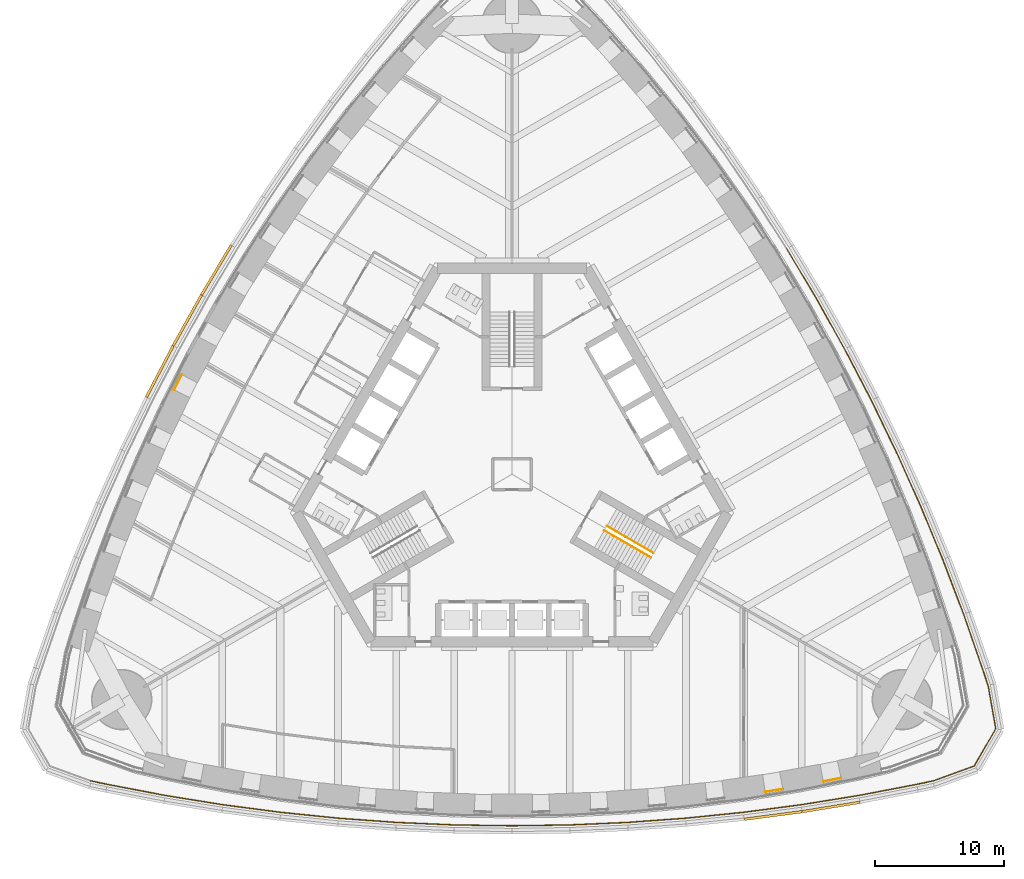
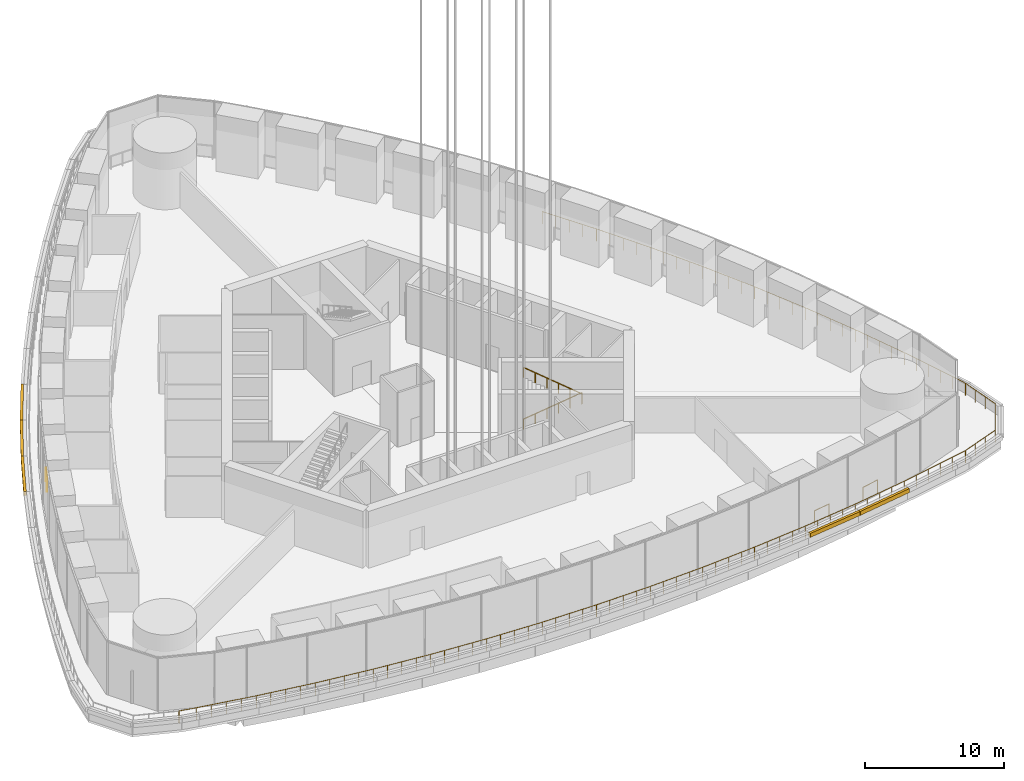
# One storey, part 19 of 33: 6 railings, 5 coverings.
"""IFC4 building model written with IfcOpenShell, lengths in metres."""

from ifc_helpers import new_model, si_unit, direction, frame, origin, origin_2d, place, context, subcontext, project, spatial, rectangle, circle, extrude, material, type_object, element, save


model = new_model("IFC4")

# Units and contexts
model_context = context("Model", 3, precision=1e-05, world=origin(), true_north=direction((0.0, 1.0)))
body_context = subcontext(model_context, "Body", "Model", "MODEL_VIEW")
ifc_project = project(units=[si_unit("LENGTHUNIT", "METRE"), si_unit("AREAUNIT", "SQUARE_METRE"), si_unit("VOLUMEUNIT", "CUBIC_METRE"), si_unit("PLANEANGLEUNIT", "RADIAN"), si_unit("MASSUNIT", "GRAM", prefix="KILO")], contexts=[model_context])

# Site, building, storey
site_placement = place(None, origin())
site = spatial("IfcSite", under=ifc_project, at=site_placement, CompositionType="ELEMENT")
building_placement = place(site_placement, origin())
building = spatial("IfcBuilding", under=site, at=building_placement, Name="Trefoil Bronze Tower", CompositionType="ELEMENT")
storey_placement = place(building_placement, frame((0.0, 0.0, 98.10009765625)))
storey = spatial("IfcBuildingStorey", under=building, at=storey_placement, Name="L22", CompositionType="ELEMENT", Elevation=98.10009765625)

# Railings
ifc_material_1 = material(Name="Bronze-finish steel guard rail and posts", Category="steel")
railing_type_1 = type_object("IfcRailingType", Name="Glazing guard 1200", PredefinedType="GUARDRAIL", material=ifc_material_1)
railing_1_placement = place(storey_placement, frame((19.665771484375, -24.671875, 0.0)))
element("IfcRailing", 1, at=railing_1_placement, inside=storey, type_object=railing_type_1, Name="Glazing guard L22.16", PredefinedType="GUARDRAIL", context=body_context, shape_type="SweptSolid", body=[
    extrude(circle(Radius=0.02392578125, at=origin_2d()), frame((0.0, 0.0, 1.17578125), z_axis=(0.98674481344, 0.162279614093, 0.0), x_axis=(-0.162279614093, 0.98674481344, 0.0)), (0.0, 0.0, 1.0), 1.382568359375),
    extrude(circle(Radius=0.02099609375, at=origin_2d()), origin(), (0.0, 0.0, 1.0), 1.15185546875),
    extrude(circle(Radius=0.02099609375, at=origin_2d()), frame((1.3642578125, 0.224365234375, 0.0)), (0.0, 0.0, 1.0), 1.15185546875),
])
railing_2_placement = place(storey_placement, frame((24.177001953125, -23.86669921875, 0.0)))
element("IfcRailing", 2, at=railing_2_placement, inside=storey, type_object=railing_type_1, Name="Glazing guard L22.17", PredefinedType="GUARDRAIL", context=body_context, shape_type="SweptSolid", body=[
    extrude(circle(Radius=0.02392578125, at=origin_2d()), frame((0.0, 0.0, 1.17578125), z_axis=(0.980145746229, 0.198278380438, 0.0), x_axis=(-0.198278380438, 0.980145746229, 0.0)), (0.0, 0.0, 1.0), 1.4111328125),
    extrude(circle(Radius=0.02099609375, at=origin_2d()), origin(), (0.0, 0.0, 1.0), 1.15185546875),
    extrude(circle(Radius=0.02099609375, at=origin_2d()), frame((1.383056640625, 0.27978515625, 0.0)), (0.0, 0.0, 1.0), 1.15185546875),
])
railing_3_placement = place(storey_placement, frame((-25.646484375, 7.74072265625, 0.0)))
element("IfcRailing", 3, at=railing_3_placement, inside=storey, type_object=railing_type_1, Name="Glazing guard L22.40", PredefinedType="GUARDRAIL", context=body_context, shape_type="SweptSolid", body=[
    extrude(circle(Radius=0.02392578125, at=origin_2d()), frame((0.0, 0.0, 1.17578125), z_axis=(-0.452501179772, -0.891763804101, 0.0), x_axis=(0.891763804101, -0.452501179772, 0.0)), (0.0, 0.0, 1.0), 1.327880859375),
    extrude(circle(Radius=0.02099609375, at=origin_2d()), origin(), (0.0, 0.0, 1.0), 1.15185546875),
    extrude(circle(Radius=0.02099609375, at=origin_2d()), frame((-0.600830078125, -1.18408203125, 0.0)), (0.0, 0.0, 1.0), 1.15185546875),
])
ifc_material_2 = material(Name="Steel handrail", Category="steel")
railing_type_2 = type_object("IfcRailingType", Name="Handrail 900", PredefinedType="HANDRAIL", material=ifc_material_2)
railing_4_placement = place(storey_placement, frame((7.365966796875, -4.021728515625, 0.16650390625)))
element("IfcRailing", 4, at=railing_4_placement, inside=storey, type_object=railing_type_2, Name="Handrail ST1 flight 1 L22", PredefinedType="HANDRAIL", context=body_context, shape_type="SweptSolid", body=[
    extrude(circle(Radius=0.02392578125, at=origin_2d()), frame((0.0, 0.0, 0.8759765625), z_axis=(0.75701437253, -0.437094753155, 0.485672128651), x_axis=(0.500027713859, 0.866009402589, 0.0)), (0.0, 0.0, 1.0), 4.8046875),
    extrude(circle(Radius=0.02099609375, at=origin_2d()), origin(), (0.0, 0.0, 1.0), 0.851806640625),
    extrude(circle(Radius=0.02099609375, at=origin_2d()), frame((0.7275390625, -0.419921875, 0.466796875)), (0.0, 0.0, 1.0), 0.851806640625),
    extrude(circle(Radius=0.02099609375, at=origin_2d()), frame((1.454833984375, -0.840087890625, 0.933349609375)), (0.0, 0.0, 1.0), 0.851806640625),
    extrude(circle(Radius=0.02099609375, at=origin_2d()), frame((2.182373046875, -1.260009765625, 1.400146484375)), (0.0, 0.0, 1.0), 0.851806640625),
    extrude(circle(Radius=0.02099609375, at=origin_2d()), frame((2.90966796875, -1.68017578125, 1.86669921875)), (0.0, 0.0, 1.0), 0.851806640625),
    extrude(circle(Radius=0.02099609375, at=origin_2d()), frame((3.63720703125, -2.10009765625, 2.33349609375)), (0.0, 0.0, 1.0), 0.851806640625),
])
railing_5_placement = place(storey_placement, frame((10.80322265625, -6.46826171875, 2.66650390625)))
element("IfcRailing", 5, at=railing_5_placement, inside=storey, type_object=railing_type_2, Name="Handrail ST1 flight 2 L22", PredefinedType="HANDRAIL", context=body_context, shape_type="SweptSolid", body=[
    extrude(circle(Radius=0.02392578125, at=origin_2d()), frame((0.0, 0.0, 0.8759765625), z_axis=(-0.75701437253, 0.437094753155, 0.485672128651), x_axis=(-0.500027713859, -0.866009402589, 0.0)), (0.0, 0.0, 1.0), 4.8046875),
    extrude(circle(Radius=0.02099609375, at=origin_2d()), origin(), (0.0, 0.0, 1.0), 0.851806640625),
    extrude(circle(Radius=0.02099609375, at=origin_2d()), frame((-0.7275390625, 0.419921875, 0.466796875)), (0.0, 0.0, 1.0), 0.851806640625),
    extrude(circle(Radius=0.02099609375, at=origin_2d()), frame((-1.454833984375, 0.840087890625, 0.933349609375)), (0.0, 0.0, 1.0), 0.851806640625),
    extrude(circle(Radius=0.02099609375, at=origin_2d()), frame((-2.182373046875, 1.260009765625, 1.400146484375)), (0.0, 0.0, 1.0), 0.851806640625),
    extrude(circle(Radius=0.02099609375, at=origin_2d()), frame((-2.90966796875, 1.68017578125, 1.86669921875)), (0.0, 0.0, 1.0), 0.851806640625),
    extrude(circle(Radius=0.02099609375, at=origin_2d()), frame((-3.63720703125, 2.10009765625, 2.33349609375)), (0.0, 0.0, 1.0), 0.851806640625),
])
ifc_material_3 = material(Name="Galvanised steel guard rail and posts", Category="steel")
railing_type_3 = type_object("IfcRailingType", Name="Roof edge guard 1100", PredefinedType="GUARDRAIL", material=ifc_material_3)
railing_6_placement = place(storey_placement, frame((-32.762451171875, -23.798828125, 0.2998046875)))
element("IfcRailing", 6, at=railing_6_placement, inside=storey, type_object=railing_type_3, Name="Roof edge guard L22.1 maintenance access only", PredefinedType="GUARDRAIL", context=body_context, shape_type="SweptSolid", body=[
    extrude(circle(Radius=0.02392578125, at=origin_2d()), frame((0.0, 0.0, 1.076171875), z_axis=(0.978306217861, -0.207164051162, 0.0), x_axis=(0.207164051162, 0.978306217861, 0.0)), (0.0, 0.0, 1.0), 1.29052734375),
    extrude(circle(Radius=0.02392578125, at=origin_2d()), frame((1.262451171875, -0.267333984375, 1.076171875), z_axis=(0.982052021543, -0.188610251533, 0.0), x_axis=(0.188610251533, 0.982052021543, 0.0)), (0.0, 0.0, 1.0), 4.582275390625),
    extrude(circle(Radius=0.02392578125, at=origin_2d()), frame((5.762451171875, -1.131591796875, 1.076171875), z_axis=(0.987181300889, -0.159602879593, 0.0), x_axis=(0.159602879593, 0.987181300889, 0.0)), (0.0, 0.0, 1.0), 4.558349609375),
    extrude(circle(Radius=0.02392578125, at=origin_2d()), frame((10.262451171875, -1.859130859375, 1.076171875), z_axis=(0.991442207947, -0.130546345415, 0.0), x_axis=(0.130546345415, 0.991442207947, 0.0)), (0.0, 0.0, 1.0), 4.538818359375),
    extrude(circle(Radius=0.02392578125, at=origin_2d()), frame((14.762451171875, -2.45166015625, 1.076171875), z_axis=(0.994827688697, -0.101576915697, 0.0), x_axis=(0.101576915697, 0.994827688697, 0.0)), (0.0, 0.0, 1.0), 4.5234375),
    extrude(circle(Radius=0.02392578125, at=origin_2d()), frame((19.262451171875, -2.9111328125, 1.076171875), z_axis=(0.997363894896, -0.072562119306, 0.0), x_axis=(0.072562119306, 0.997363894896, 0.0)), (0.0, 0.0, 1.0), 4.511962890625),
    extrude(circle(Radius=0.02392578125, at=origin_2d()), frame((23.762451171875, -3.238525390625, 1.076171875), z_axis=(0.999052370647, -0.043524254212, 0.0), x_axis=(0.043524254212, 0.999052370647, 0.0)), (0.0, 0.0, 1.0), 4.504150390625),
    extrude(circle(Radius=0.02392578125, at=origin_2d()), frame((28.262451171875, -3.4345703125, 1.076171875), z_axis=(0.999894311967, -0.014538393859, 0.0), x_axis=(0.014538393859, 0.999894311967, 0.0)), (0.0, 0.0, 1.0), 4.50048828125),
    extrude(circle(Radius=0.02392578125, at=origin_2d()), frame((32.762451171875, -3.5, 1.076171875), z_axis=(0.999894311967, 0.014538393859, 0.0), x_axis=(-0.014538393859, 0.999894311967, 0.0)), (0.0, 0.0, 1.0), 4.50048828125),
    extrude(circle(Radius=0.02392578125, at=origin_2d()), frame((37.262451171875, -3.4345703125, 1.076171875), z_axis=(0.999052370647, 0.043524254212, 0.0), x_axis=(-0.043524254212, 0.999052370647, 0.0)), (0.0, 0.0, 1.0), 4.504150390625),
    extrude(circle(Radius=0.02392578125, at=origin_2d()), frame((41.762451171875, -3.238525390625, 1.076171875), z_axis=(0.997363894896, 0.072562119306, 0.0), x_axis=(-0.072562119306, 0.997363894896, 0.0)), (0.0, 0.0, 1.0), 4.511962890625),
    extrude(circle(Radius=0.02392578125, at=origin_2d()), frame((46.262451171875, -2.9111328125, 1.076171875), z_axis=(0.994827688697, 0.101576915697, 0.0), x_axis=(-0.101576915697, 0.994827688697, 0.0)), (0.0, 0.0, 1.0), 4.5234375),
    extrude(circle(Radius=0.02392578125, at=origin_2d()), frame((50.762451171875, -2.45166015625, 1.076171875), z_axis=(0.991442207947, 0.130546345415, 0.0), x_axis=(-0.130546345415, 0.991442207947, 0.0)), (0.0, 0.0, 1.0), 4.538818359375),
    extrude(circle(Radius=0.02392578125, at=origin_2d()), frame((55.262451171875, -1.859130859375, 1.076171875), z_axis=(0.987181300889, 0.159602879593, 0.0), x_axis=(-0.159602879593, 0.987181300889, 0.0)), (0.0, 0.0, 1.0), 4.558349609375),
    extrude(circle(Radius=0.02392578125, at=origin_2d()), frame((59.762451171875, -1.131591796875, 1.076171875), z_axis=(0.982052021543, 0.188610251533, 0.0), x_axis=(-0.188610251533, 0.982052021543, 0.0)), (0.0, 0.0, 1.0), 4.582275390625),
    extrude(circle(Radius=0.02392578125, at=origin_2d()), frame((64.262451171875, -0.267333984375, 1.076171875), z_axis=(0.978306217861, 0.207164051162, 0.0), x_axis=(-0.207164051162, 0.978306217861, 0.0)), (0.0, 0.0, 1.0), 1.29052734375),
    extrude(circle(Radius=0.02392578125, at=origin_2d()), frame((65.52490234375, 0.0, 1.076171875), z_axis=(0.939682409406, 0.342048197559, 0.0), x_axis=(-0.342048197559, 0.939682409406, 0.0)), (0.0, 0.0, 1.0), 3.34033203125),
    extrude(circle(Radius=0.02392578125, at=origin_2d()), frame((68.663818359375, 1.142578125, 1.076171875), z_axis=(0.499998720605, 0.866026142442, 0.0), x_axis=(-0.866026142442, 0.499998720605, 0.0)), (0.0, 0.0, 1.0), 3.34033203125),
    extrude(circle(Radius=0.02392578125, at=origin_2d()), frame((70.333984375, 4.035400390625, 1.076171875), z_axis=(-0.173647747775, 0.984807828814, 0.0), x_axis=(-0.984807828814, -0.173647747775, 0.0)), (0.0, 0.0, 1.0), 3.340576171875),
    extrude(circle(Radius=0.02392578125, at=origin_2d()), frame((69.75390625, 7.3251953125, 1.076171875), z_axis=(-0.309749167884, 0.950818307036, 0.0), x_axis=(-0.950818307036, -0.309749167884, 0.0)), (0.0, 0.0, 1.0), 1.290283203125),
    extrude(circle(Radius=0.02392578125, at=origin_2d()), frame((69.354248046875, 8.552001953125, 1.076171875), z_axis=(-0.327664973678, 0.944793980201, 0.0), x_axis=(-0.944793980201, -0.327664973678, 0.0)), (0.0, 0.0, 1.0), 4.582275390625),
    extrude(circle(Radius=0.02392578125, at=origin_2d()), frame((67.852783203125, 12.88134765625, 1.076171875), z_axis=(-0.355369393324, 0.934725946087, 0.0), x_axis=(-0.934725946087, -0.355369393324, 0.0)), (0.0, 0.0, 1.0), 4.558349609375),
    extrude(circle(Radius=0.02392578125, at=origin_2d()), frame((66.23291015625, 17.14208984375, 1.076171875), z_axis=(-0.382639984525, 0.923897527999, 0.0), x_axis=(-0.923897527999, -0.382639984525, 0.0)), (0.0, 0.0, 1.0), 4.5390625),
    extrude(circle(Radius=0.02392578125, at=origin_2d()), frame((64.49609375, 21.335693359375, 1.076171875), z_axis=(-0.409451055745, 0.912332084796, 0.0), x_axis=(-0.912332084796, -0.409451055745, 0.0)), (0.0, 0.0, 1.0), 4.523193359375),
    extrude(circle(Radius=0.02392578125, at=origin_2d()), frame((62.64404296875, 25.46240234375, 1.076171875), z_axis=(-0.435857917556, 0.900015486369, 0.0), x_axis=(-0.900015486369, -0.435857917556, 0.0)), (0.0, 0.0, 1.0), 4.511962890625),
    extrude(circle(Radius=0.02392578125, at=origin_2d()), frame((60.677490234375, 29.523193359375, 1.076171875), z_axis=(-0.461852697957, 0.886956642339, 0.0), x_axis=(-0.886956642339, -0.461852697957, 0.0)), (0.0, 0.0, 1.0), 4.50439453125),
    extrude(circle(Radius=0.02392578125, at=origin_2d()), frame((58.59716796875, 33.518310546875, 1.076171875), z_axis=(-0.487350768834, 0.873206291844, 0.0), x_axis=(-0.873206291844, -0.487350768834, 0.0)), (0.0, 0.0, 1.0), 4.50048828125),
    extrude(circle(Radius=0.02392578125, at=origin_2d()), frame((56.40380859375, 37.4482421875, 1.076171875), z_axis=(-0.51252396108, 0.858672923364, 0.0), x_axis=(-0.858672923364, -0.51252396108, 0.0)), (0.0, 0.0, 1.0), 4.50048828125),
    extrude(circle(Radius=0.02099609375, at=origin_2d()), origin(), (0.0, 0.0, 1.0), 1.052001953125),
    extrude(circle(Radius=0.02099609375, at=origin_2d()), frame((1.262451171875, -0.267333984375, 0.0)), (0.0, 0.0, 1.0), 1.052001953125),
    extrude(circle(Radius=0.02099609375, at=origin_2d()), frame((2.387451171875, -0.4833984375, 0.0)), (0.0, 0.0, 1.0), 1.052001953125),
    extrude(circle(Radius=0.02099609375, at=origin_2d()), frame((3.512451171875, -0.699462890625, 0.0)), (0.0, 0.0, 1.0), 1.052001953125),
    extrude(circle(Radius=0.02099609375, at=origin_2d()), frame((4.637451171875, -0.91552734375, 0.0)), (0.0, 0.0, 1.0), 1.052001953125),
    extrude(circle(Radius=0.02099609375, at=origin_2d()), frame((5.762451171875, -1.131591796875, 0.0)), (0.0, 0.0, 1.0), 1.052001953125),
    extrude(circle(Radius=0.02099609375, at=origin_2d()), frame((6.887451171875, -1.3134765625, 0.0)), (0.0, 0.0, 1.0), 1.052001953125),
    extrude(circle(Radius=0.02099609375, at=origin_2d()), frame((8.012451171875, -1.495361328125, 0.0)), (0.0, 0.0, 1.0), 1.052001953125),
    extrude(circle(Radius=0.02099609375, at=origin_2d()), frame((9.137451171875, -1.67724609375, 0.0)), (0.0, 0.0, 1.0), 1.052001953125),
    extrude(circle(Radius=0.02099609375, at=origin_2d()), frame((10.262451171875, -1.859130859375, 0.0)), (0.0, 0.0, 1.0), 1.052001953125),
    extrude(circle(Radius=0.02099609375, at=origin_2d()), frame((11.387451171875, -2.00732421875, 0.0)), (0.0, 0.0, 1.0), 1.052001953125),
    extrude(circle(Radius=0.02099609375, at=origin_2d()), frame((12.512451171875, -2.1552734375, 0.0)), (0.0, 0.0, 1.0), 1.052001953125),
    extrude(circle(Radius=0.02099609375, at=origin_2d()), frame((13.637451171875, -2.303466796875, 0.0)), (0.0, 0.0, 1.0), 1.052001953125),
    extrude(circle(Radius=0.02099609375, at=origin_2d()), frame((14.762451171875, -2.45166015625, 0.0)), (0.0, 0.0, 1.0), 1.052001953125),
    extrude(circle(Radius=0.02099609375, at=origin_2d()), frame((15.887451171875, -2.56640625, 0.0)), (0.0, 0.0, 1.0), 1.052001953125),
    extrude(circle(Radius=0.02099609375, at=origin_2d()), frame((17.012451171875, -2.681396484375, 0.0)), (0.0, 0.0, 1.0), 1.052001953125),
    extrude(circle(Radius=0.02099609375, at=origin_2d()), frame((18.137451171875, -2.79638671875, 0.0)), (0.0, 0.0, 1.0), 1.052001953125),
    extrude(circle(Radius=0.02099609375, at=origin_2d()), frame((19.262451171875, -2.9111328125, 0.0)), (0.0, 0.0, 1.0), 1.052001953125),
    extrude(circle(Radius=0.02099609375, at=origin_2d()), frame((20.387451171875, -2.992919921875, 0.0)), (0.0, 0.0, 1.0), 1.052001953125),
    extrude(circle(Radius=0.02099609375, at=origin_2d()), frame((21.512451171875, -3.07470703125, 0.0)), (0.0, 0.0, 1.0), 1.052001953125),
    extrude(circle(Radius=0.02099609375, at=origin_2d()), frame((22.637451171875, -3.15673828125, 0.0)), (0.0, 0.0, 1.0), 1.052001953125),
    extrude(circle(Radius=0.02099609375, at=origin_2d()), frame((23.762451171875, -3.238525390625, 0.0)), (0.0, 0.0, 1.0), 1.052001953125),
    extrude(circle(Radius=0.02099609375, at=origin_2d()), frame((24.887451171875, -3.28759765625, 0.0)), (0.0, 0.0, 1.0), 1.052001953125),
    extrude(circle(Radius=0.02099609375, at=origin_2d()), frame((26.012451171875, -3.33642578125, 0.0)), (0.0, 0.0, 1.0), 1.052001953125),
    extrude(circle(Radius=0.02099609375, at=origin_2d()), frame((27.137451171875, -3.385498046875, 0.0)), (0.0, 0.0, 1.0), 1.052001953125),
    extrude(circle(Radius=0.02099609375, at=origin_2d()), frame((28.262451171875, -3.4345703125, 0.0)), (0.0, 0.0, 1.0), 1.052001953125),
    extrude(circle(Radius=0.02099609375, at=origin_2d()), frame((29.387451171875, -3.450927734375, 0.0)), (0.0, 0.0, 1.0), 1.052001953125),
    extrude(circle(Radius=0.02099609375, at=origin_2d()), frame((30.512451171875, -3.46728515625, 0.0)), (0.0, 0.0, 1.0), 1.052001953125),
    extrude(circle(Radius=0.02099609375, at=origin_2d()), frame((31.637451171875, -3.483642578125, 0.0)), (0.0, 0.0, 1.0), 1.052001953125),
    extrude(circle(Radius=0.02099609375, at=origin_2d()), frame((32.762451171875, -3.5, 0.0)), (0.0, 0.0, 1.0), 1.052001953125),
    extrude(circle(Radius=0.02099609375, at=origin_2d()), frame((33.887451171875, -3.483642578125, 0.0)), (0.0, 0.0, 1.0), 1.052001953125),
    extrude(circle(Radius=0.02099609375, at=origin_2d()), frame((35.012451171875, -3.46728515625, 0.0)), (0.0, 0.0, 1.0), 1.052001953125),
    extrude(circle(Radius=0.02099609375, at=origin_2d()), frame((36.137451171875, -3.450927734375, 0.0)), (0.0, 0.0, 1.0), 1.052001953125),
    extrude(circle(Radius=0.02099609375, at=origin_2d()), frame((37.262451171875, -3.4345703125, 0.0)), (0.0, 0.0, 1.0), 1.052001953125),
    extrude(circle(Radius=0.02099609375, at=origin_2d()), frame((38.387451171875, -3.385498046875, 0.0)), (0.0, 0.0, 1.0), 1.052001953125),
    extrude(circle(Radius=0.02099609375, at=origin_2d()), frame((39.512451171875, -3.33642578125, 0.0)), (0.0, 0.0, 1.0), 1.052001953125),
    extrude(circle(Radius=0.02099609375, at=origin_2d()), frame((40.637451171875, -3.28759765625, 0.0)), (0.0, 0.0, 1.0), 1.052001953125),
    extrude(circle(Radius=0.02099609375, at=origin_2d()), frame((41.762451171875, -3.238525390625, 0.0)), (0.0, 0.0, 1.0), 1.052001953125),
    extrude(circle(Radius=0.02099609375, at=origin_2d()), frame((42.887451171875, -3.15673828125, 0.0)), (0.0, 0.0, 1.0), 1.052001953125),
    extrude(circle(Radius=0.02099609375, at=origin_2d()), frame((44.012451171875, -3.07470703125, 0.0)), (0.0, 0.0, 1.0), 1.052001953125),
    extrude(circle(Radius=0.02099609375, at=origin_2d()), frame((45.137451171875, -2.992919921875, 0.0)), (0.0, 0.0, 1.0), 1.052001953125),
    extrude(circle(Radius=0.02099609375, at=origin_2d()), frame((46.262451171875, -2.9111328125, 0.0)), (0.0, 0.0, 1.0), 1.052001953125),
    extrude(circle(Radius=0.02099609375, at=origin_2d()), frame((47.387451171875, -2.79638671875, 0.0)), (0.0, 0.0, 1.0), 1.052001953125),
    extrude(circle(Radius=0.02099609375, at=origin_2d()), frame((48.512451171875, -2.681396484375, 0.0)), (0.0, 0.0, 1.0), 1.052001953125),
    extrude(circle(Radius=0.02099609375, at=origin_2d()), frame((49.637451171875, -2.56640625, 0.0)), (0.0, 0.0, 1.0), 1.052001953125),
    extrude(circle(Radius=0.02099609375, at=origin_2d()), frame((50.762451171875, -2.45166015625, 0.0)), (0.0, 0.0, 1.0), 1.052001953125),
    extrude(circle(Radius=0.02099609375, at=origin_2d()), frame((51.887451171875, -2.303466796875, 0.0)), (0.0, 0.0, 1.0), 1.052001953125),
    extrude(circle(Radius=0.02099609375, at=origin_2d()), frame((53.012451171875, -2.1552734375, 0.0)), (0.0, 0.0, 1.0), 1.052001953125),
    extrude(circle(Radius=0.02099609375, at=origin_2d()), frame((54.137451171875, -2.00732421875, 0.0)), (0.0, 0.0, 1.0), 1.052001953125),
    extrude(circle(Radius=0.02099609375, at=origin_2d()), frame((55.262451171875, -1.859130859375, 0.0)), (0.0, 0.0, 1.0), 1.052001953125),
    extrude(circle(Radius=0.02099609375, at=origin_2d()), frame((56.387451171875, -1.67724609375, 0.0)), (0.0, 0.0, 1.0), 1.052001953125),
    extrude(circle(Radius=0.02099609375, at=origin_2d()), frame((57.512451171875, -1.495361328125, 0.0)), (0.0, 0.0, 1.0), 1.052001953125),
    extrude(circle(Radius=0.02099609375, at=origin_2d()), frame((58.637451171875, -1.3134765625, 0.0)), (0.0, 0.0, 1.0), 1.052001953125),
    extrude(circle(Radius=0.02099609375, at=origin_2d()), frame((59.762451171875, -1.131591796875, 0.0)), (0.0, 0.0, 1.0), 1.052001953125),
    extrude(circle(Radius=0.02099609375, at=origin_2d()), frame((60.887451171875, -0.91552734375, 0.0)), (0.0, 0.0, 1.0), 1.052001953125),
    extrude(circle(Radius=0.02099609375, at=origin_2d()), frame((62.012451171875, -0.699462890625, 0.0)), (0.0, 0.0, 1.0), 1.052001953125),
    extrude(circle(Radius=0.02099609375, at=origin_2d()), frame((63.137451171875, -0.4833984375, 0.0)), (0.0, 0.0, 1.0), 1.052001953125),
    extrude(circle(Radius=0.02099609375, at=origin_2d()), frame((64.262451171875, -0.267333984375, 0.0)), (0.0, 0.0, 1.0), 1.052001953125),
    extrude(circle(Radius=0.02099609375, at=origin_2d()), frame((65.52490234375, 0.0, 0.0)), (0.0, 0.0, 1.0), 1.052001953125),
    extrude(circle(Radius=0.02099609375, at=origin_2d()), frame((66.5712890625, 0.380859375, 0.0)), (0.0, 0.0, 1.0), 1.052001953125),
    extrude(circle(Radius=0.02099609375, at=origin_2d()), frame((67.617431640625, 0.76171875, 0.0)), (0.0, 0.0, 1.0), 1.052001953125),
    extrude(circle(Radius=0.02099609375, at=origin_2d()), frame((68.663818359375, 1.142578125, 0.0)), (0.0, 0.0, 1.0), 1.052001953125),
    extrude(circle(Radius=0.02099609375, at=origin_2d()), frame((69.220458984375, 2.10693359375, 0.0)), (0.0, 0.0, 1.0), 1.052001953125),
    extrude(circle(Radius=0.02099609375, at=origin_2d()), frame((69.77734375, 3.071044921875, 0.0)), (0.0, 0.0, 1.0), 1.052001953125),
    extrude(circle(Radius=0.02099609375, at=origin_2d()), frame((70.333984375, 4.035400390625, 0.0)), (0.0, 0.0, 1.0), 1.052001953125),
    extrude(circle(Radius=0.02099609375, at=origin_2d()), frame((70.140625, 5.132080078125, 0.0)), (0.0, 0.0, 1.0), 1.052001953125),
    extrude(circle(Radius=0.02099609375, at=origin_2d()), frame((69.947265625, 6.228515625, 0.0)), (0.0, 0.0, 1.0), 1.052001953125),
    extrude(circle(Radius=0.02099609375, at=origin_2d()), frame((69.75390625, 7.3251953125, 0.0)), (0.0, 0.0, 1.0), 1.052001953125),
    extrude(circle(Radius=0.02099609375, at=origin_2d()), frame((69.354248046875, 8.552001953125, 0.0)), (0.0, 0.0, 1.0), 1.052001953125),
    extrude(circle(Radius=0.02099609375, at=origin_2d()), frame((68.97900390625, 9.63427734375, 0.0)), (0.0, 0.0, 1.0), 1.052001953125),
    extrude(circle(Radius=0.02099609375, at=origin_2d()), frame((68.603515625, 10.716796875, 0.0)), (0.0, 0.0, 1.0), 1.052001953125),
    extrude(circle(Radius=0.02099609375, at=origin_2d()), frame((68.22802734375, 11.799072265625, 0.0)), (0.0, 0.0, 1.0), 1.052001953125),
    extrude(circle(Radius=0.02099609375, at=origin_2d()), frame((67.852783203125, 12.88134765625, 0.0)), (0.0, 0.0, 1.0), 1.052001953125),
    extrude(circle(Radius=0.02099609375, at=origin_2d()), frame((67.44775390625, 13.946533203125, 0.0)), (0.0, 0.0, 1.0), 1.052001953125),
    extrude(circle(Radius=0.02099609375, at=origin_2d()), frame((67.04296875, 15.01171875, 0.0)), (0.0, 0.0, 1.0), 1.052001953125),
    extrude(circle(Radius=0.02099609375, at=origin_2d()), frame((66.637939453125, 16.076904296875, 0.0)), (0.0, 0.0, 1.0), 1.052001953125),
    extrude(circle(Radius=0.02099609375, at=origin_2d()), frame((66.23291015625, 17.14208984375, 0.0)), (0.0, 0.0, 1.0), 1.052001953125),
    extrude(circle(Radius=0.02099609375, at=origin_2d()), frame((65.798828125, 18.1904296875, 0.0)), (0.0, 0.0, 1.0), 1.052001953125),
    extrude(circle(Radius=0.02099609375, at=origin_2d()), frame((65.364501953125, 19.23876953125, 0.0)), (0.0, 0.0, 1.0), 1.052001953125),
    extrude(circle(Radius=0.02099609375, at=origin_2d()), frame((64.93017578125, 20.287353515625, 0.0)), (0.0, 0.0, 1.0), 1.052001953125),
    extrude(circle(Radius=0.02099609375, at=origin_2d()), frame((64.49609375, 21.335693359375, 0.0)), (0.0, 0.0, 1.0), 1.052001953125),
    extrude(circle(Radius=0.02099609375, at=origin_2d()), frame((64.033203125, 22.367431640625, 0.0)), (0.0, 0.0, 1.0), 1.052001953125),
    extrude(circle(Radius=0.02099609375, at=origin_2d()), frame((63.570068359375, 23.39892578125, 0.0)), (0.0, 0.0, 1.0), 1.052001953125),
    extrude(circle(Radius=0.02099609375, at=origin_2d()), frame((63.10693359375, 24.4306640625, 0.0)), (0.0, 0.0, 1.0), 1.052001953125),
    extrude(circle(Radius=0.02099609375, at=origin_2d()), frame((62.64404296875, 25.46240234375, 0.0)), (0.0, 0.0, 1.0), 1.052001953125),
    extrude(circle(Radius=0.02099609375, at=origin_2d()), frame((62.15234375, 26.4775390625, 0.0)), (0.0, 0.0, 1.0), 1.052001953125),
    extrude(circle(Radius=0.02099609375, at=origin_2d()), frame((61.66064453125, 27.49267578125, 0.0)), (0.0, 0.0, 1.0), 1.052001953125),
    extrude(circle(Radius=0.02099609375, at=origin_2d()), frame((61.169189453125, 28.508056640625, 0.0)), (0.0, 0.0, 1.0), 1.052001953125),
    extrude(circle(Radius=0.02099609375, at=origin_2d()), frame((60.677490234375, 29.523193359375, 0.0)), (0.0, 0.0, 1.0), 1.052001953125),
    extrude(circle(Radius=0.02099609375, at=origin_2d()), frame((60.157470703125, 30.52197265625, 0.0)), (0.0, 0.0, 1.0), 1.052001953125),
    extrude(circle(Radius=0.02099609375, at=origin_2d()), frame((59.63720703125, 31.520751953125, 0.0)), (0.0, 0.0, 1.0), 1.052001953125),
    extrude(circle(Radius=0.02099609375, at=origin_2d()), frame((59.1171875, 32.51953125, 0.0)), (0.0, 0.0, 1.0), 1.052001953125),
    extrude(circle(Radius=0.02099609375, at=origin_2d()), frame((58.59716796875, 33.518310546875, 0.0)), (0.0, 0.0, 1.0), 1.052001953125),
    extrude(circle(Radius=0.02099609375, at=origin_2d()), frame((58.048828125, 34.500732421875, 0.0)), (0.0, 0.0, 1.0), 1.052001953125),
    extrude(circle(Radius=0.02099609375, at=origin_2d()), frame((57.50048828125, 35.4833984375, 0.0)), (0.0, 0.0, 1.0), 1.052001953125),
    extrude(circle(Radius=0.02099609375, at=origin_2d()), frame((56.9521484375, 36.4658203125, 0.0)), (0.0, 0.0, 1.0), 1.052001953125),
    extrude(circle(Radius=0.02099609375, at=origin_2d()), frame((56.40380859375, 37.4482421875, 0.0)), (0.0, 0.0, 1.0), 1.052001953125),
    extrude(circle(Radius=0.02099609375, at=origin_2d()), frame((55.8271484375, 38.414306640625, 0.0)), (0.0, 0.0, 1.0), 1.052001953125),
    extrude(circle(Radius=0.02099609375, at=origin_2d()), frame((55.25048828125, 39.38037109375, 0.0)), (0.0, 0.0, 1.0), 1.052001953125),
    extrude(circle(Radius=0.02099609375, at=origin_2d()), frame((54.673828125, 40.3466796875, 0.0)), (0.0, 0.0, 1.0), 1.052001953125),
    extrude(circle(Radius=0.02099609375, at=origin_2d()), frame((54.09716796875, 41.312744140625, 0.0)), (0.0, 0.0, 1.0), 1.052001953125),
])

# Coverings
ifc_material_4 = material(Name="Stepped bronze-finish aluminium cornice", Category="aluminium")
covering_type = type_object("IfcCoveringType", Name="Setback cornice 350x200", PredefinedType="MOLDING", material=ifc_material_4)
covering_1_placement = place(storey_placement, frame((20.279296875, -26.50244140625, 0.749755859375), z_axis=(0.0, 0.0, 1.0), x_axis=(0.991437251591, 0.130583981243, 0.0)))
element("IfcCovering", 7, at=covering_1_placement, inside=storey, type_object=covering_type, Name="Setback cornice L22.12", PredefinedType="MOLDING", context=body_context, shape_type="SweptSolid", body=[
    extrude(rectangle(XDim=4.538818359375, YDim=0.199951171875, at=origin_2d()), origin(), (0.0, 0.0, 1.0), 0.35009765625),
])
covering_2_placement = place(storey_placement, frame((24.785888671875, -25.84130859375, 0.749755859375), z_axis=(0.0, 0.0, 1.0), x_axis=(0.987181315147, 0.159602791403, 0.0)))
element("IfcCovering", 8, at=covering_2_placement, inside=storey, type_object=covering_type, Name="Setback cornice L22.13", PredefinedType="MOLDING", context=body_context, shape_type="SweptSolid", body=[
    extrude(rectangle(XDim=4.558349609375, YDim=0.199951171875, at=origin_2d()), origin(), (0.0, 0.0, 1.0), 0.35009765625),
])
for number, where, z_axis, x_axis, name in (
    (9, (-22.962646484375, 15.859375, 0.749755859375), (0.0, 0.0, 1.0), (-0.512512794114, -0.858679588595, 0.0), "Setback cornice L22.45"),
    (10, (-25.216064453125, 11.95654296875, 0.749755859375), (0.0, 0.0, 1.0), (-0.487381940377, -0.873188893765, 0.0), "Setback cornice L22.46"),
):
    element("IfcCovering", number, at=place(storey_placement, frame(where, z_axis=z_axis, x_axis=x_axis)), inside=storey, type_object=covering_type, Name=name, PredefinedType="MOLDING", context=body_context, shape_type="SweptSolid", body=[
        extrude(rectangle(XDim=4.50048828125, YDim=0.199951171875, at=origin_2d()), origin(), (0.0, 0.0, 1.0), 0.35009765625),
    ])
covering_3_placement = place(storey_placement, frame((-27.35595703125, 7.988525390625, 0.749755859375), z_axis=(0.0, 0.0, 1.0), x_axis=(-0.46182981851, -0.886968555663, 0.0)))
element("IfcCovering", 11, at=covering_3_placement, inside=storey, type_object=covering_type, Name="Setback cornice L22.47", PredefinedType="MOLDING", context=body_context, shape_type="SweptSolid", body=[
    extrude(rectangle(XDim=4.504150390625, YDim=0.199951171875, at=origin_2d()), origin(), (0.0, 0.0, 1.0), 0.35009765625),
])

save(model, "model.ifc")
